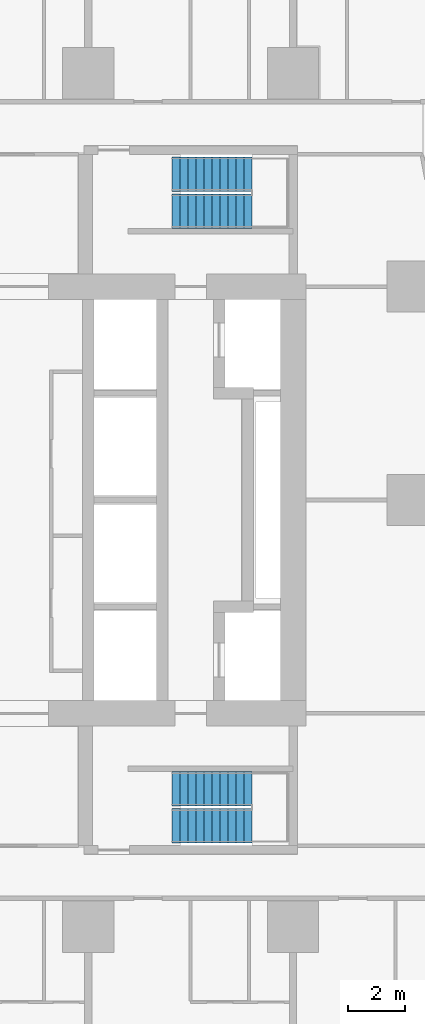
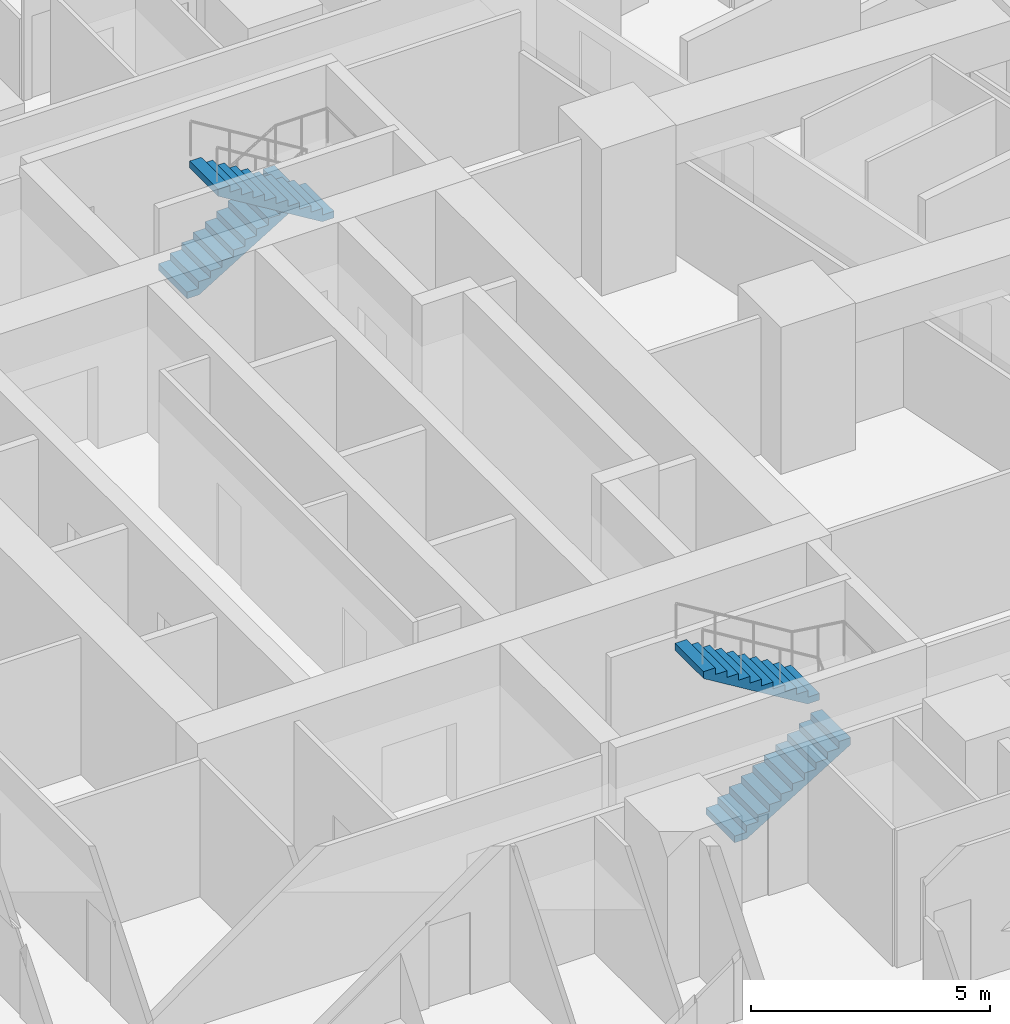
# One storey, part 12 of 15: 4 stair flights, 2 elements without a shape of their own.
"""IFC4 building model written with IfcOpenShell, lengths in metres."""

from ifc_helpers import new_model, si_unit, direction, frame, origin, place, context, subcontext, project, spatial, triangles, material, type_object, element, aggregate, save


model = new_model("IFC4")

# Units and contexts
model_context = context("Model", 3, precision=1e-05, world=origin(), true_north=direction((0.0, 1.0)))
body_context = subcontext(model_context, "Body", "Model", "MODEL_VIEW")
ifc_project = project(units=[si_unit("LENGTHUNIT", "METRE"), si_unit("AREAUNIT", "SQUARE_METRE"), si_unit("VOLUMEUNIT", "CUBIC_METRE"), si_unit("PLANEANGLEUNIT", "RADIAN"), si_unit("MASSUNIT", "GRAM", prefix="KILO")], contexts=[model_context])

# Site, building, storey
site_placement = place(None, origin())
site = spatial("IfcSite", under=ifc_project, at=site_placement, CompositionType="ELEMENT")
building_placement = place(site_placement, origin())
building = spatial("IfcBuilding", under=site, at=building_placement, Name="Sheger Commons Tower", CompositionType="ELEMENT")
storey_placement = place(building_placement, frame((0.0, 0.0, 42.5)))
storey = spatial("IfcBuildingStorey", under=building, at=storey_placement, Name="L10", CompositionType="ELEMENT", Elevation=42.5)

# Stair, stair flights
ifc_material_1 = material(Name="Concrete C35/45", Category="concrete")
stair_type = type_object("IfcStairType", Name="HALF-TURN STAIR 1200 RISE 3750", PredefinedType="HALF_TURN_STAIR", material=ifc_material_1)
stair_1_placement = place(storey_placement, origin())
stair_1 = element("IfcStair", 1, at=stair_1_placement, inside=storey, type_object=stair_type, Name="Stair S1 L10", PredefinedType="HALF_TURN_STAIR")
ifc_material_2 = material(Name="Concrete C35/45", Category="concrete")
stair_flight_type = type_object("IfcStairFlightType", Name="STAIR FLIGHT 1200 11 RISERS OF 170", PredefinedType="STRAIGHT", material=ifc_material_2)
stair_flight_1_placement = place(storey_placement, frame((24.550048828125, 11.050048828125, 0.0), z_axis=(0.0, 0.0, 1.0), x_axis=(1.0, 0.0, 0.0)))
stair_flight_1 = element("IfcStairFlight", 2, at=stair_flight_1_placement, type_object=stair_flight_type, Name="S1 flight 1", NumberOfRisers=11, NumberOfTreads=10, PredefinedType="STRAIGHT", RiserHeight=0.170454545, TreadLength=0.28, context=body_context, shape_type="Tessellation", body=[
    triangles([(0.0, 0.5999755859375, 0.0), (0.0, 0.5999755859375, 0.17041015625), (0.280029296875, 0.5999755859375, 0.17041015625), (0.280029296875, 0.5999755859375, 0.3408203125), (0.56005859375, 0.5999755859375, 0.3408203125), (0.56005859375, 0.5999755859375, 0.511474609375), (0.840087890625, 0.5999755859375, 0.511474609375), (0.840087890625, 0.5999755859375, 0.681884765625), (1.1201171875, 0.5999755859375, 0.681884765625), (1.1201171875, 0.5999755859375, 0.852294921875), (1.39990234375, 0.5999755859375, 0.852294921875), (1.39990234375, 0.5999755859375, 1.022705078125), (1.679931640625, 0.5999755859375, 1.022705078125), (1.679931640625, 0.5999755859375, 1.193115234375), (1.9599609375, 0.5999755859375, 1.193115234375), (1.9599609375, 0.5999755859375, 1.363525390625), (2.239990234375, 0.5999755859375, 1.363525390625), (2.239990234375, 0.5999755859375, 1.5341796875), (2.52001953125, 0.5999755859375, 1.5341796875), (2.52001953125, 0.5999755859375, 1.70458984375), (2.800048828125, 0.5999755859375, 1.70458984375), (2.800048828125, 0.5999755859375, 1.529052734375), (0.288330078125, 0.5999755859375, 0.0), (0.0, -0.5999755859375, 0.0), (0.0, -0.5999755859375, 0.17041015625), (0.280029296875, -0.5999755859375, 0.17041015625), (0.280029296875, -0.5999755859375, 0.3408203125), (0.56005859375, -0.5999755859375, 0.3408203125), (0.56005859375, -0.5999755859375, 0.511474609375), (0.840087890625, -0.5999755859375, 0.511474609375), (0.840087890625, -0.5999755859375, 0.681884765625), (1.1201171875, -0.5999755859375, 0.681884765625), (1.1201171875, -0.5999755859375, 0.852294921875), (1.39990234375, -0.5999755859375, 0.852294921875), (1.39990234375, -0.5999755859375, 1.022705078125), (1.679931640625, -0.5999755859375, 1.022705078125), (1.679931640625, -0.5999755859375, 1.193115234375), (1.9599609375, -0.5999755859375, 1.193115234375), (1.9599609375, -0.5999755859375, 1.363525390625), (2.239990234375, -0.5999755859375, 1.363525390625), (2.239990234375, -0.5999755859375, 1.5341796875), (2.52001953125, -0.5999755859375, 1.5341796875), (2.52001953125, -0.5999755859375, 1.70458984375), (2.800048828125, -0.5999755859375, 1.70458984375), (2.800048828125, -0.5999755859375, 1.529052734375), (0.288330078125, -0.5999755859375, 0.0), (0.0, 0.0, 0.085205078125), (0.1400146484375, 0.0, 0.17041015625), (0.280029296875, 0.0, 0.255615234375), (0.4200439453125, 0.0, 0.3408203125), (0.56005859375, 0.0, 0.4261474609375), (0.7000732421875, 0.0, 0.511474609375), (0.840087890625, 0.0, 0.5966796875), (0.9801025390625, 0.0, 0.681884765625), (1.1201171875, 0.0, 0.76708984375), (1.260009765625, 0.0, 0.852294921875), (1.39990234375, 0.0, 0.9375), (1.5399169921875, 0.0, 1.022705078125), (1.679931640625, 0.0, 1.10791015625), (1.8199462890625, 0.0, 1.193115234375), (1.9599609375, 0.0, 1.2783203125), (2.0999755859375, 0.0, 1.363525390625), (2.239990234375, 0.0, 1.4488525390625), (2.3800048828125, 0.0, 1.5341796875), (2.52001953125, 0.0, 1.619384765625), (2.6600341796875, 0.0, 1.70458984375), (2.800048828125, 0.0, 1.6168212890625), (1.544189453125, 0.0, 0.7645263671875), (0.1441650390625, 0.0, 0.0)], [[1, 22, 23], [24, 46, 45], [22, 20, 21], [45, 44, 43], [22, 19, 20], [45, 43, 42], [22, 18, 19], [45, 42, 41], [22, 17, 18], [45, 41, 40], [17, 15, 16], [40, 39, 38], [22, 15, 17], [45, 40, 38], [15, 13, 14], [38, 37, 36], [22, 13, 15], [45, 38, 36], [13, 11, 12], [36, 35, 34], [22, 11, 13], [45, 36, 34], [11, 9, 10], [34, 33, 32], [22, 9, 11], [45, 34, 32], [9, 7, 8], [32, 31, 30], [22, 7, 9], [45, 32, 30], [7, 5, 6], [30, 29, 28], [22, 5, 7], [45, 30, 28], [5, 3, 4], [28, 27, 26], [22, 3, 5], [45, 28, 26], [1, 3, 22], [24, 45, 26], [3, 1, 2], [26, 25, 24], [1, 47, 2], [2, 47, 25], [25, 47, 24], [24, 47, 1], [2, 48, 3], [3, 48, 26], [26, 48, 25], [25, 48, 2], [3, 49, 4], [4, 49, 27], [27, 49, 26], [26, 49, 3], [4, 50, 5], [5, 50, 28], [28, 50, 27], [27, 50, 4], [5, 51, 6], [6, 51, 29], [29, 51, 28], [28, 51, 5], [6, 52, 7], [7, 52, 30], [30, 52, 29], [29, 52, 6], [7, 53, 8], [8, 53, 31], [31, 53, 30], [30, 53, 7], [8, 54, 9], [9, 54, 32], [32, 54, 31], [31, 54, 8], [9, 55, 10], [10, 55, 33], [33, 55, 32], [32, 55, 9], [10, 56, 11], [11, 56, 34], [34, 56, 33], [33, 56, 10], [11, 57, 12], [12, 57, 35], [35, 57, 34], [34, 57, 11], [12, 58, 13], [13, 58, 36], [36, 58, 35], [35, 58, 12], [13, 59, 14], [14, 59, 37], [37, 59, 36], [36, 59, 13], [14, 60, 15], [15, 60, 38], [38, 60, 37], [37, 60, 14], [15, 61, 16], [16, 61, 39], [39, 61, 38], [38, 61, 15], [16, 62, 17], [17, 62, 40], [40, 62, 39], [39, 62, 16], [17, 63, 18], [18, 63, 41], [41, 63, 40], [40, 63, 17], [18, 64, 19], [19, 64, 42], [42, 64, 41], [41, 64, 18], [19, 65, 20], [20, 65, 43], [43, 65, 42], [42, 65, 19], [20, 66, 21], [21, 66, 44], [44, 66, 43], [43, 66, 20], [21, 67, 22], [22, 67, 45], [45, 67, 44], [44, 67, 21], [22, 68, 23], [23, 68, 46], [46, 68, 45], [45, 68, 22], [23, 69, 1], [1, 69, 24], [24, 69, 46], [46, 69, 23]], closed=True),
])
stair_flight_2_placement = place(storey_placement, frame((27.35009765625, 12.35009765625, 1.875), z_axis=(0.0, 0.0, 1.0), x_axis=(-1.0, 0.0, 0.0)))
stair_flight_2 = element("IfcStairFlight", 3, at=stair_flight_2_placement, type_object=stair_flight_type, Name="S1 flight 2", NumberOfRisers=11, NumberOfTreads=10, PredefinedType="STRAIGHT", RiserHeight=0.170454545, TreadLength=0.28, context=body_context, shape_type="Tessellation", body=[
    triangles([(0.0, 0.5999755859375, 0.0), (0.0, 0.5999755859375, 0.17041015625), (0.280029296875, 0.5999755859375, 0.17041015625), (0.280029296875, 0.5999755859375, 0.3408203125), (0.56005859375, 0.5999755859375, 0.3408203125), (0.56005859375, 0.5999755859375, 0.511474609375), (0.840087890625, 0.5999755859375, 0.511474609375), (0.840087890625, 0.5999755859375, 0.681884765625), (1.1201171875, 0.5999755859375, 0.681884765625), (1.1201171875, 0.5999755859375, 0.852294921875), (1.39990234375, 0.5999755859375, 0.852294921875), (1.39990234375, 0.5999755859375, 1.022705078125), (1.679931640625, 0.5999755859375, 1.022705078125), (1.679931640625, 0.5999755859375, 1.193115234375), (1.9599609375, 0.5999755859375, 1.193115234375), (1.9599609375, 0.5999755859375, 1.363525390625), (2.239990234375, 0.5999755859375, 1.363525390625), (2.239990234375, 0.5999755859375, 1.5341796875), (2.52001953125, 0.5999755859375, 1.5341796875), (2.52001953125, 0.5999755859375, 1.70458984375), (2.800048828125, 0.5999755859375, 1.70458984375), (2.800048828125, 0.5999755859375, 1.529052734375), (0.288330078125, 0.5999755859375, 0.0), (0.0, -0.5999755859375, 0.0), (0.0, -0.5999755859375, 0.17041015625), (0.280029296875, -0.5999755859375, 0.17041015625), (0.280029296875, -0.5999755859375, 0.3408203125), (0.56005859375, -0.5999755859375, 0.3408203125), (0.56005859375, -0.5999755859375, 0.511474609375), (0.840087890625, -0.5999755859375, 0.511474609375), (0.840087890625, -0.5999755859375, 0.681884765625), (1.1201171875, -0.5999755859375, 0.681884765625), (1.1201171875, -0.5999755859375, 0.852294921875), (1.39990234375, -0.5999755859375, 0.852294921875), (1.39990234375, -0.5999755859375, 1.022705078125), (1.679931640625, -0.5999755859375, 1.022705078125), (1.679931640625, -0.5999755859375, 1.193115234375), (1.9599609375, -0.5999755859375, 1.193115234375), (1.9599609375, -0.5999755859375, 1.363525390625), (2.239990234375, -0.5999755859375, 1.363525390625), (2.239990234375, -0.5999755859375, 1.5341796875), (2.52001953125, -0.5999755859375, 1.5341796875), (2.52001953125, -0.5999755859375, 1.70458984375), (2.800048828125, -0.5999755859375, 1.70458984375), (2.800048828125, -0.5999755859375, 1.529052734375), (0.288330078125, -0.5999755859375, 0.0), (0.0, 0.0, 0.085205078125), (0.1400146484375, 0.0, 0.17041015625), (0.280029296875, 0.0, 0.255615234375), (0.4200439453125, 0.0, 0.3408203125), (0.56005859375, 0.0, 0.4261474609375), (0.7000732421875, 0.0, 0.511474609375), (0.840087890625, 0.0, 0.5966796875), (0.9801025390625, 0.0, 0.681884765625), (1.1201171875, 0.0, 0.76708984375), (1.260009765625, 0.0, 0.852294921875), (1.39990234375, 0.0, 0.9375), (1.5399169921875, 0.0, 1.022705078125), (1.679931640625, 0.0, 1.10791015625), (1.8199462890625, 0.0, 1.193115234375), (1.9599609375, 0.0, 1.2783203125), (2.0999755859375, 0.0, 1.363525390625), (2.239990234375, 0.0, 1.4488525390625), (2.3800048828125, 0.0, 1.5341796875), (2.52001953125, 0.0, 1.619384765625), (2.6600341796875, 0.0, 1.70458984375), (2.800048828125, 0.0, 1.6168212890625), (1.544189453125, 0.0, 0.7645263671875), (0.1441650390625, 0.0, 0.0)], [[1, 22, 23], [24, 46, 45], [22, 20, 21], [45, 44, 43], [22, 19, 20], [45, 43, 42], [22, 18, 19], [45, 42, 41], [22, 17, 18], [45, 41, 40], [17, 15, 16], [40, 39, 38], [22, 15, 17], [45, 40, 38], [15, 13, 14], [38, 37, 36], [22, 13, 15], [45, 38, 36], [13, 11, 12], [36, 35, 34], [22, 11, 13], [45, 36, 34], [11, 9, 10], [34, 33, 32], [22, 9, 11], [45, 34, 32], [9, 7, 8], [32, 31, 30], [22, 7, 9], [45, 32, 30], [7, 5, 6], [30, 29, 28], [22, 5, 7], [45, 30, 28], [5, 3, 4], [28, 27, 26], [22, 3, 5], [45, 28, 26], [1, 3, 22], [24, 45, 26], [3, 1, 2], [26, 25, 24], [1, 47, 2], [2, 47, 25], [25, 47, 24], [24, 47, 1], [2, 48, 3], [3, 48, 26], [26, 48, 25], [25, 48, 2], [3, 49, 4], [4, 49, 27], [27, 49, 26], [26, 49, 3], [4, 50, 5], [5, 50, 28], [28, 50, 27], [27, 50, 4], [5, 51, 6], [6, 51, 29], [29, 51, 28], [28, 51, 5], [6, 52, 7], [7, 52, 30], [30, 52, 29], [29, 52, 6], [7, 53, 8], [8, 53, 31], [31, 53, 30], [30, 53, 7], [8, 54, 9], [9, 54, 32], [32, 54, 31], [31, 54, 8], [9, 55, 10], [10, 55, 33], [33, 55, 32], [32, 55, 9], [10, 56, 11], [11, 56, 34], [34, 56, 33], [33, 56, 10], [11, 57, 12], [12, 57, 35], [35, 57, 34], [34, 57, 11], [12, 58, 13], [13, 58, 36], [36, 58, 35], [35, 58, 12], [13, 59, 14], [14, 59, 37], [37, 59, 36], [36, 59, 13], [14, 60, 15], [15, 60, 38], [38, 60, 37], [37, 60, 14], [15, 61, 16], [16, 61, 39], [39, 61, 38], [38, 61, 15], [16, 62, 17], [17, 62, 40], [40, 62, 39], [39, 62, 16], [17, 63, 18], [18, 63, 41], [41, 63, 40], [40, 63, 17], [18, 64, 19], [19, 64, 42], [42, 64, 41], [41, 64, 18], [19, 65, 20], [20, 65, 43], [43, 65, 42], [42, 65, 19], [20, 66, 21], [21, 66, 44], [44, 66, 43], [43, 66, 20], [21, 67, 22], [22, 67, 45], [45, 67, 44], [44, 67, 21], [22, 68, 23], [23, 68, 46], [46, 68, 45], [45, 68, 22], [23, 69, 1], [1, 69, 24], [24, 69, 46], [46, 69, 23]], closed=True),
])
aggregate(stair_1, [stair_flight_1, stair_flight_2])

stair_2_placement = place(storey_placement, origin())
stair_2 = element("IfcStair", 4, at=stair_2_placement, inside=storey, type_object=stair_type, Name="Stair S2 L10", PredefinedType="HALF_TURN_STAIR")
stair_flight_3_placement = place(storey_placement, frame((24.550048828125, 33.949951171875, 0.0), z_axis=(0.0, 0.0, 1.0), x_axis=(1.0, 0.0, 0.0)))
stair_flight_3 = element("IfcStairFlight", 5, at=stair_flight_3_placement, type_object=stair_flight_type, Name="S2 flight 1", NumberOfRisers=11, NumberOfTreads=10, PredefinedType="STRAIGHT", RiserHeight=0.170454545, TreadLength=0.28, context=body_context, shape_type="Tessellation", body=[
    triangles([(0.0, 0.5999755859375, 0.0), (0.0, 0.5999755859375, 0.17041015625), (0.280029296875, 0.5999755859375, 0.17041015625), (0.280029296875, 0.5999755859375, 0.3408203125), (0.56005859375, 0.5999755859375, 0.3408203125), (0.56005859375, 0.5999755859375, 0.511474609375), (0.840087890625, 0.5999755859375, 0.511474609375), (0.840087890625, 0.5999755859375, 0.681884765625), (1.1201171875, 0.5999755859375, 0.681884765625), (1.1201171875, 0.5999755859375, 0.852294921875), (1.39990234375, 0.5999755859375, 0.852294921875), (1.39990234375, 0.5999755859375, 1.022705078125), (1.679931640625, 0.5999755859375, 1.022705078125), (1.679931640625, 0.5999755859375, 1.193115234375), (1.9599609375, 0.5999755859375, 1.193115234375), (1.9599609375, 0.5999755859375, 1.363525390625), (2.239990234375, 0.5999755859375, 1.363525390625), (2.239990234375, 0.5999755859375, 1.5341796875), (2.52001953125, 0.5999755859375, 1.5341796875), (2.52001953125, 0.5999755859375, 1.70458984375), (2.800048828125, 0.5999755859375, 1.70458984375), (2.800048828125, 0.5999755859375, 1.529052734375), (0.288330078125, 0.5999755859375, 0.0), (0.0, -0.5999755859375, 0.0), (0.0, -0.5999755859375, 0.17041015625), (0.280029296875, -0.5999755859375, 0.17041015625), (0.280029296875, -0.5999755859375, 0.3408203125), (0.56005859375, -0.5999755859375, 0.3408203125), (0.56005859375, -0.5999755859375, 0.511474609375), (0.840087890625, -0.5999755859375, 0.511474609375), (0.840087890625, -0.5999755859375, 0.681884765625), (1.1201171875, -0.5999755859375, 0.681884765625), (1.1201171875, -0.5999755859375, 0.852294921875), (1.39990234375, -0.5999755859375, 0.852294921875), (1.39990234375, -0.5999755859375, 1.022705078125), (1.679931640625, -0.5999755859375, 1.022705078125), (1.679931640625, -0.5999755859375, 1.193115234375), (1.9599609375, -0.5999755859375, 1.193115234375), (1.9599609375, -0.5999755859375, 1.363525390625), (2.239990234375, -0.5999755859375, 1.363525390625), (2.239990234375, -0.5999755859375, 1.5341796875), (2.52001953125, -0.5999755859375, 1.5341796875), (2.52001953125, -0.5999755859375, 1.70458984375), (2.800048828125, -0.5999755859375, 1.70458984375), (2.800048828125, -0.5999755859375, 1.529052734375), (0.288330078125, -0.5999755859375, 0.0), (0.0, 0.0, 0.085205078125), (0.1400146484375, 0.0, 0.17041015625), (0.280029296875, 0.0, 0.255615234375), (0.4200439453125, 0.0, 0.3408203125), (0.56005859375, 0.0, 0.4261474609375), (0.7000732421875, 0.0, 0.511474609375), (0.840087890625, 0.0, 0.5966796875), (0.9801025390625, 0.0, 0.681884765625), (1.1201171875, 0.0, 0.76708984375), (1.260009765625, 0.0, 0.852294921875), (1.39990234375, 0.0, 0.9375), (1.5399169921875, 0.0, 1.022705078125), (1.679931640625, 0.0, 1.10791015625), (1.8199462890625, 0.0, 1.193115234375), (1.9599609375, 0.0, 1.2783203125), (2.0999755859375, 0.0, 1.363525390625), (2.239990234375, 0.0, 1.4488525390625), (2.3800048828125, 0.0, 1.5341796875), (2.52001953125, 0.0, 1.619384765625), (2.6600341796875, 0.0, 1.70458984375), (2.800048828125, 0.0, 1.6168212890625), (1.544189453125, 0.0, 0.7645263671875), (0.1441650390625, 0.0, 0.0)], [[1, 22, 23], [24, 46, 45], [22, 20, 21], [45, 44, 43], [22, 19, 20], [45, 43, 42], [22, 18, 19], [45, 42, 41], [22, 17, 18], [45, 41, 40], [17, 15, 16], [40, 39, 38], [22, 15, 17], [45, 40, 38], [15, 13, 14], [38, 37, 36], [22, 13, 15], [45, 38, 36], [13, 11, 12], [36, 35, 34], [22, 11, 13], [45, 36, 34], [11, 9, 10], [34, 33, 32], [22, 9, 11], [45, 34, 32], [9, 7, 8], [32, 31, 30], [22, 7, 9], [45, 32, 30], [7, 5, 6], [30, 29, 28], [22, 5, 7], [45, 30, 28], [5, 3, 4], [28, 27, 26], [22, 3, 5], [45, 28, 26], [1, 3, 22], [24, 45, 26], [3, 1, 2], [26, 25, 24], [1, 47, 2], [2, 47, 25], [25, 47, 24], [24, 47, 1], [2, 48, 3], [3, 48, 26], [26, 48, 25], [25, 48, 2], [3, 49, 4], [4, 49, 27], [27, 49, 26], [26, 49, 3], [4, 50, 5], [5, 50, 28], [28, 50, 27], [27, 50, 4], [5, 51, 6], [6, 51, 29], [29, 51, 28], [28, 51, 5], [6, 52, 7], [7, 52, 30], [30, 52, 29], [29, 52, 6], [7, 53, 8], [8, 53, 31], [31, 53, 30], [30, 53, 7], [8, 54, 9], [9, 54, 32], [32, 54, 31], [31, 54, 8], [9, 55, 10], [10, 55, 33], [33, 55, 32], [32, 55, 9], [10, 56, 11], [11, 56, 34], [34, 56, 33], [33, 56, 10], [11, 57, 12], [12, 57, 35], [35, 57, 34], [34, 57, 11], [12, 58, 13], [13, 58, 36], [36, 58, 35], [35, 58, 12], [13, 59, 14], [14, 59, 37], [37, 59, 36], [36, 59, 13], [14, 60, 15], [15, 60, 38], [38, 60, 37], [37, 60, 14], [15, 61, 16], [16, 61, 39], [39, 61, 38], [38, 61, 15], [16, 62, 17], [17, 62, 40], [40, 62, 39], [39, 62, 16], [17, 63, 18], [18, 63, 41], [41, 63, 40], [40, 63, 17], [18, 64, 19], [19, 64, 42], [42, 64, 41], [41, 64, 18], [19, 65, 20], [20, 65, 43], [43, 65, 42], [42, 65, 19], [20, 66, 21], [21, 66, 44], [44, 66, 43], [43, 66, 20], [21, 67, 22], [22, 67, 45], [45, 67, 44], [44, 67, 21], [22, 68, 23], [23, 68, 46], [46, 68, 45], [45, 68, 22], [23, 69, 1], [1, 69, 24], [24, 69, 46], [46, 69, 23]], closed=True),
])
stair_flight_4_placement = place(storey_placement, frame((27.35009765625, 32.64990234375, 1.875), z_axis=(0.0, 0.0, 1.0), x_axis=(-1.0, 0.0, 0.0)))
stair_flight_4 = element("IfcStairFlight", 6, at=stair_flight_4_placement, type_object=stair_flight_type, Name="S2 flight 2", NumberOfRisers=11, NumberOfTreads=10, PredefinedType="STRAIGHT", RiserHeight=0.170454545, TreadLength=0.28, context=body_context, shape_type="Tessellation", body=[
    triangles([(0.0, 0.5999755859375, 0.0), (0.0, 0.5999755859375, 0.17041015625), (0.280029296875, 0.5999755859375, 0.17041015625), (0.280029296875, 0.5999755859375, 0.3408203125), (0.56005859375, 0.5999755859375, 0.3408203125), (0.56005859375, 0.5999755859375, 0.511474609375), (0.840087890625, 0.5999755859375, 0.511474609375), (0.840087890625, 0.5999755859375, 0.681884765625), (1.1201171875, 0.5999755859375, 0.681884765625), (1.1201171875, 0.5999755859375, 0.852294921875), (1.39990234375, 0.5999755859375, 0.852294921875), (1.39990234375, 0.5999755859375, 1.022705078125), (1.679931640625, 0.5999755859375, 1.022705078125), (1.679931640625, 0.5999755859375, 1.193115234375), (1.9599609375, 0.5999755859375, 1.193115234375), (1.9599609375, 0.5999755859375, 1.363525390625), (2.239990234375, 0.5999755859375, 1.363525390625), (2.239990234375, 0.5999755859375, 1.5341796875), (2.52001953125, 0.5999755859375, 1.5341796875), (2.52001953125, 0.5999755859375, 1.70458984375), (2.800048828125, 0.5999755859375, 1.70458984375), (2.800048828125, 0.5999755859375, 1.529052734375), (0.288330078125, 0.5999755859375, 0.0), (0.0, -0.5999755859375, 0.0), (0.0, -0.5999755859375, 0.17041015625), (0.280029296875, -0.5999755859375, 0.17041015625), (0.280029296875, -0.5999755859375, 0.3408203125), (0.56005859375, -0.5999755859375, 0.3408203125), (0.56005859375, -0.5999755859375, 0.511474609375), (0.840087890625, -0.5999755859375, 0.511474609375), (0.840087890625, -0.5999755859375, 0.681884765625), (1.1201171875, -0.5999755859375, 0.681884765625), (1.1201171875, -0.5999755859375, 0.852294921875), (1.39990234375, -0.5999755859375, 0.852294921875), (1.39990234375, -0.5999755859375, 1.022705078125), (1.679931640625, -0.5999755859375, 1.022705078125), (1.679931640625, -0.5999755859375, 1.193115234375), (1.9599609375, -0.5999755859375, 1.193115234375), (1.9599609375, -0.5999755859375, 1.363525390625), (2.239990234375, -0.5999755859375, 1.363525390625), (2.239990234375, -0.5999755859375, 1.5341796875), (2.52001953125, -0.5999755859375, 1.5341796875), (2.52001953125, -0.5999755859375, 1.70458984375), (2.800048828125, -0.5999755859375, 1.70458984375), (2.800048828125, -0.5999755859375, 1.529052734375), (0.288330078125, -0.5999755859375, 0.0), (0.0, 0.0, 0.085205078125), (0.1400146484375, 0.0, 0.17041015625), (0.280029296875, 0.0, 0.255615234375), (0.4200439453125, 0.0, 0.3408203125), (0.56005859375, 0.0, 0.4261474609375), (0.7000732421875, 0.0, 0.511474609375), (0.840087890625, 0.0, 0.5966796875), (0.9801025390625, 0.0, 0.681884765625), (1.1201171875, 0.0, 0.76708984375), (1.260009765625, 0.0, 0.852294921875), (1.39990234375, 0.0, 0.9375), (1.5399169921875, 0.0, 1.022705078125), (1.679931640625, 0.0, 1.10791015625), (1.8199462890625, 0.0, 1.193115234375), (1.9599609375, 0.0, 1.2783203125), (2.0999755859375, 0.0, 1.363525390625), (2.239990234375, 0.0, 1.4488525390625), (2.3800048828125, 0.0, 1.5341796875), (2.52001953125, 0.0, 1.619384765625), (2.6600341796875, 0.0, 1.70458984375), (2.800048828125, 0.0, 1.6168212890625), (1.544189453125, 0.0, 0.7645263671875), (0.1441650390625, 0.0, 0.0)], [[1, 22, 23], [24, 46, 45], [22, 20, 21], [45, 44, 43], [22, 19, 20], [45, 43, 42], [22, 18, 19], [45, 42, 41], [22, 17, 18], [45, 41, 40], [17, 15, 16], [40, 39, 38], [22, 15, 17], [45, 40, 38], [15, 13, 14], [38, 37, 36], [22, 13, 15], [45, 38, 36], [13, 11, 12], [36, 35, 34], [22, 11, 13], [45, 36, 34], [11, 9, 10], [34, 33, 32], [22, 9, 11], [45, 34, 32], [9, 7, 8], [32, 31, 30], [22, 7, 9], [45, 32, 30], [7, 5, 6], [30, 29, 28], [22, 5, 7], [45, 30, 28], [5, 3, 4], [28, 27, 26], [22, 3, 5], [45, 28, 26], [1, 3, 22], [24, 45, 26], [3, 1, 2], [26, 25, 24], [1, 47, 2], [2, 47, 25], [25, 47, 24], [24, 47, 1], [2, 48, 3], [3, 48, 26], [26, 48, 25], [25, 48, 2], [3, 49, 4], [4, 49, 27], [27, 49, 26], [26, 49, 3], [4, 50, 5], [5, 50, 28], [28, 50, 27], [27, 50, 4], [5, 51, 6], [6, 51, 29], [29, 51, 28], [28, 51, 5], [6, 52, 7], [7, 52, 30], [30, 52, 29], [29, 52, 6], [7, 53, 8], [8, 53, 31], [31, 53, 30], [30, 53, 7], [8, 54, 9], [9, 54, 32], [32, 54, 31], [31, 54, 8], [9, 55, 10], [10, 55, 33], [33, 55, 32], [32, 55, 9], [10, 56, 11], [11, 56, 34], [34, 56, 33], [33, 56, 10], [11, 57, 12], [12, 57, 35], [35, 57, 34], [34, 57, 11], [12, 58, 13], [13, 58, 36], [36, 58, 35], [35, 58, 12], [13, 59, 14], [14, 59, 37], [37, 59, 36], [36, 59, 13], [14, 60, 15], [15, 60, 38], [38, 60, 37], [37, 60, 14], [15, 61, 16], [16, 61, 39], [39, 61, 38], [38, 61, 15], [16, 62, 17], [17, 62, 40], [40, 62, 39], [39, 62, 16], [17, 63, 18], [18, 63, 41], [41, 63, 40], [40, 63, 17], [18, 64, 19], [19, 64, 42], [42, 64, 41], [41, 64, 18], [19, 65, 20], [20, 65, 43], [43, 65, 42], [42, 65, 19], [20, 66, 21], [21, 66, 44], [44, 66, 43], [43, 66, 20], [21, 67, 22], [22, 67, 45], [45, 67, 44], [44, 67, 21], [22, 68, 23], [23, 68, 46], [46, 68, 45], [45, 68, 22], [23, 69, 1], [1, 69, 24], [24, 69, 46], [46, 69, 23]], closed=True),
])
aggregate(stair_2, [stair_flight_3, stair_flight_4])

save(model, "model.ifc")
